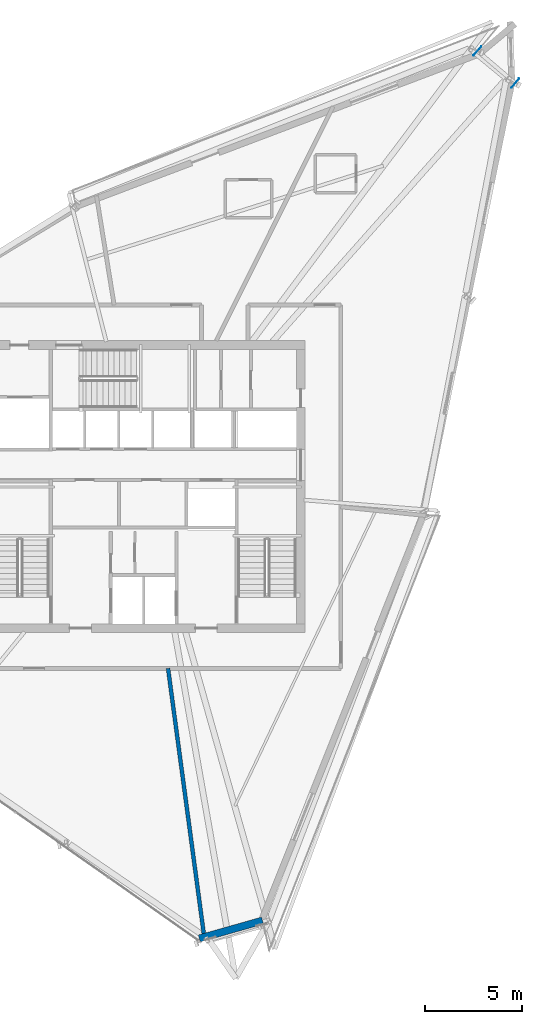
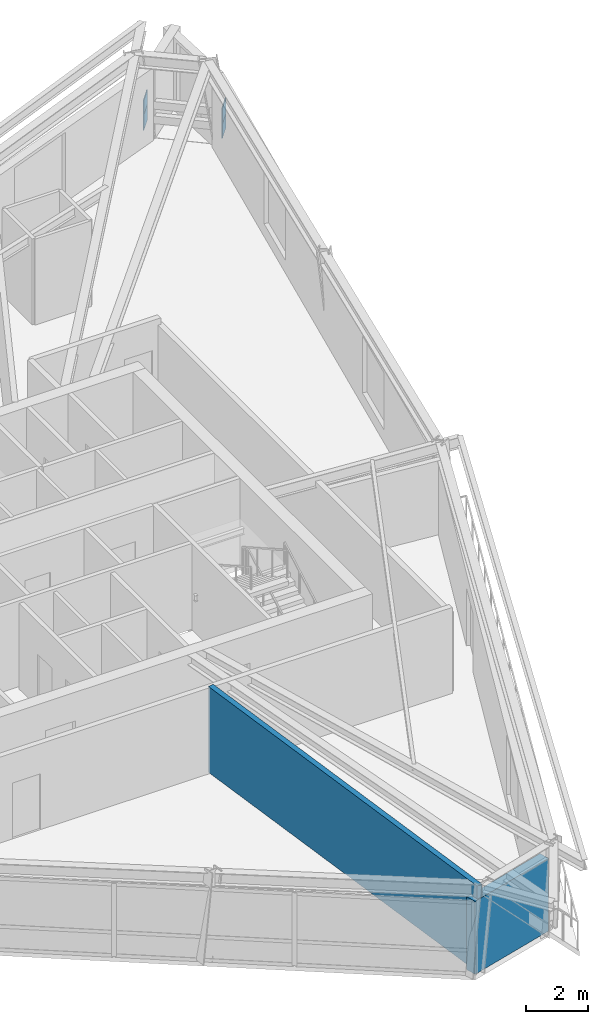
# One storey, part 7 of 13: 4 plates, 2 walls.
"""IFC4 building model written with IfcOpenShell, lengths in metres."""

import ifcopenshell
import ifcopenshell.guid

model = None  # the IFC model being written
_history = None  # IfcOwnerHistory: only IFC2X3 demands one
_inside = {}  # id of a spatial element -> (the spatial element, [elements in it])
_under = {}  # id of a project, library or spatial element -> (it, [spatial elements below it])
_declared = {}  # id of a project -> (the project, [libraries it declares])
_typed = {}  # id of a type object -> (the type object, [elements of that type])
_made_of = {}  # id of a material, layer set ... -> (it, [elements and type objects made of it])


def new_model(schema):
    """Start an empty IFC model of exactly this schema.

    Asked for "IFC4X3", IfcOpenShell would pick the latest addendum, in which some entities
    have other attributes; the version numbers below select the first issue.
    IFC2X3 requires an IfcOwnerHistory on every rooted entity: one is made here for all.
    """
    global model, _history
    if schema == "IFC4X3":
        model = ifcopenshell.file(schema_version=(4, 3, 0, 0))
    else:
        model = ifcopenshell.file(schema=schema)
    _inside.clear()
    _under.clear()
    _declared.clear()
    _typed.clear()
    _made_of.clear()
    _history = None
    if model.schema == "IFC2X3":
        org = make("IfcOrganization", Name="unknown")
        user = make(
            "IfcPersonAndOrganization",
            ThePerson=make("IfcPerson", FamilyName="unknown"),
            TheOrganization=org,
        )
        app = make(
            "IfcApplication",
            ApplicationDeveloper=org,
            Version="unknown",
            ApplicationFullName="unknown",
            ApplicationIdentifier="unknown",
        )
        _history = make(
            "IfcOwnerHistory",
            OwningUser=user,
            OwningApplication=app,
            ChangeAction="ADDED",
            CreationDate=0,
        )
    return model


def make(cls, **values):
    """One entity of the class cls with the attributes given. An attribute that is None is left unset."""
    return model.create_entity(
        cls, **{name: value for name, value in values.items() if value is not None}
    )


def rooted(cls, **values):
    """An entity with a GlobalId (a new one), such as an element, a storey or a relation."""
    return make(cls, GlobalId=ifcopenshell.guid.new(), OwnerHistory=_history, **values)


def si_unit(unit_type, name, prefix=None):
    """IfcSIUnit, for example si_unit("LENGTHUNIT", "METRE", prefix="MILLI")."""
    return make("IfcSIUnit", UnitType=unit_type, Prefix=prefix, Name=name)


def assignment(units):
    """IfcUnitAssignment: the units of a project."""
    return None if units is None else make("IfcUnitAssignment", Units=units)


def point(xyz):
    """IfcCartesianPoint."""
    return None if xyz is None else make("IfcCartesianPoint", Coordinates=xyz)


def direction(xyz):
    """IfcDirection."""
    return None if xyz is None else make("IfcDirection", DirectionRatios=xyz)


def frame(location, z_axis=None, x_axis=None):
    """IfcAxis2Placement3D, a coordinate frame: its origin and axes. An axis left out is left unset."""
    return make(
        "IfcAxis2Placement3D",
        Location=point(location),
        Axis=direction(z_axis),
        RefDirection=direction(x_axis),
    )


def frame_2d(location, x_axis=None):
    """IfcAxis2Placement2D, a coordinate frame in the plane: its origin and x axis."""
    return make(
        "IfcAxis2Placement2D", Location=point(location), RefDirection=direction(x_axis)
    )


def origin():
    """The frame at (0, 0, 0) with its axes left unset."""
    return frame((0.0, 0.0, 0.0))


def origin_2d():
    """The frame at (0, 0) in the plane with its x axis left unset."""
    return frame_2d((0.0, 0.0))


def place(relative_to, where):
    """IfcLocalPlacement: puts the frame where relative to a parent placement (None: the world)."""
    return make(
        "IfcLocalPlacement", PlacementRelTo=relative_to, RelativePlacement=where
    )


def context(
    kind, dimensions, precision=None, world=None, true_north=None, identifier=None
):
    """IfcGeometricRepresentationContext, for example the 3D "Model" context."""
    return make(
        "IfcGeometricRepresentationContext",
        ContextIdentifier=identifier,
        ContextType=kind,
        CoordinateSpaceDimension=dimensions,
        Precision=precision,
        WorldCoordinateSystem=world,
        TrueNorth=true_north,
    )


def subcontext(parent, identifier, kind, view, scale=None):
    """IfcGeometricRepresentationSubContext, for example "Body" below "Model"."""
    return make(
        "IfcGeometricRepresentationSubContext",
        ContextIdentifier=identifier,
        ContextType=kind,
        ParentContext=parent,
        TargetScale=scale,
        TargetView=view,
    )


def project(units=None, contexts=None):
    """IfcProject with its units and contexts."""
    return rooted(
        "IfcProject",
        Name="project",
        RepresentationContexts=contexts,
        UnitsInContext=assignment(units),
    )


def spatial(cls, under=None, at=None, **own):
    """A site, building, storey or space (cls), placed at a placement, below another one or the project."""
    s = rooted(cls, ObjectPlacement=at, **own)
    if under is not None:
        _under.setdefault(under.id(), (under, []))[1].append(s)
    return s


def profile(cls, at=None, kind="AREA", **sizes):
    """A parametric profile (cls). Its sizes go by their IFC names, for example OverallWidth=200.0."""
    return make(cls, ProfileType=kind, Position=at, **sizes)


def rectangle(**sizes):
    """IfcRectangleProfileDef."""
    return profile("IfcRectangleProfileDef", **sizes)


def extrude(swept, where, along, depth):
    """IfcExtrudedAreaSolid: the profile swept, set in the frame where, extruded along a direction by depth."""
    return make(
        "IfcExtrudedAreaSolid",
        SweptArea=swept,
        Position=where,
        ExtrudedDirection=direction(along),
        Depth=depth,
    )


def shape(context_of_items, identifier, shape_type, items):
    """IfcShapeRepresentation: the items that make up one representation, for example the "Body"."""
    return make(
        "IfcShapeRepresentation",
        ContextOfItems=context_of_items,
        RepresentationIdentifier=identifier,
        RepresentationType=shape_type,
        Items=items,
    )


def source(mapping_origin, context_of_items, identifier, shape_type, items):
    """IfcRepresentationMap: a shape defined once, which mapped items show again and again."""
    return make(
        "IfcRepresentationMap",
        MappingOrigin=mapping_origin,
        MappedRepresentation=shape(context_of_items, identifier, shape_type, items),
    )


def transform(
    local_origin,
    x_axis=None,
    y_axis=None,
    z_axis=None,
    scale=None,
    scale2=None,
    scale3=None,
    uniform=True,
):
    """IfcCartesianTransformationOperator3D, or its non-uniform kind. x_axis, y_axis, z_axis: its Axis1, 2, 3."""
    if uniform:
        return make(
            "IfcCartesianTransformationOperator3D",
            Axis1=direction(x_axis),
            Axis2=direction(y_axis),
            LocalOrigin=point(local_origin),
            Scale=scale,
            Axis3=direction(z_axis),
        )
    return make(
        "IfcCartesianTransformationOperator3DnonUniform",
        Axis1=direction(x_axis),
        Axis2=direction(y_axis),
        LocalOrigin=point(local_origin),
        Scale=scale,
        Axis3=direction(z_axis),
        Scale2=scale2,
        Scale3=scale3,
    )


def mapped(mapping_source, mapping_target):
    """IfcMappedItem: shows the shape of a source again, moved by a transform."""
    return make(
        "IfcMappedItem", MappingSource=mapping_source, MappingTarget=mapping_target
    )


def material(Name=None, Category=None):
    """IfcMaterial."""
    return make("IfcMaterial", Name=Name, Category=Category)


def layer(
    of_material, thickness, ventilated=None, Name=None, Category=None, Priority=None
):
    """IfcMaterialLayer: one layer of a wall or slab, of a material (None: an air gap)."""
    return make(
        "IfcMaterialLayer",
        Material=of_material,
        LayerThickness=thickness,
        IsVentilated=ventilated,
        Name=Name,
        Category=Category,
        Priority=Priority,
    )


def layer_set(layers, Name=None):
    """IfcMaterialLayerSet."""
    return make("IfcMaterialLayerSet", MaterialLayers=layers, LayerSetName=Name)


def made_of(thing, what):
    """Note that an element or type object is made of a material, layer set ...; save() writes the relation."""
    if what is not None:
        _made_of.setdefault(what.id(), (what, []))[1].append(thing)
    return thing


def type_object(cls, material=None, **own):
    """A type object (cls), such as IfcWallType, which elements share."""
    return made_of(rooted(cls, **own), material)


def element(
    cls,
    number,
    at=None,
    inside=None,
    cuts=None,
    type_object=None,
    material=None,
    context=None,
    identifier="Body",
    shape_type=None,
    held_by="IfcProductDefinitionShape",
    body=None,
    shapes=None,
    **own,
):
    """One element of the class cls, such as IfcWall. Its Tag is "e" and its number.

    at: its placement. inside: the storey or other place that contains it. cuts: it is an
    opening in that element (IfcRelVoidsElement). A single representation is given by context,
    identifier, shape_type and body (its items); several are given by shapes. held_by: the class
    of the entity that holds the representations. save() writes the other relations.
    """
    e = rooted(cls, Tag="e%d" % number, ObjectPlacement=at, **own)
    if body is not None:
        shapes = [shape(context, identifier, shape_type, body)]
    if shapes is not None:
        e.Representation = make(held_by, Representations=shapes)
    if inside is not None:
        _inside.setdefault(inside.id(), (inside, []))[1].append(e)
    if cuts is not None:
        rooted(
            "IfcRelVoidsElement", RelatingBuildingElement=cuts, RelatedOpeningElement=e
        )
    if type_object is not None:
        _typed.setdefault(type_object.id(), (type_object, []))[1].append(e)
    return made_of(e, material)


def aggregate(whole, parts):
    """IfcRelAggregates: a whole, such as a stair, and the parts it consists of."""
    return rooted("IfcRelAggregates", RelatingObject=whole, RelatedObjects=parts)


def save(model, path):
    """Write the relations noted so far, then the file.

    IfcRelAggregates (storeys below a building ...), IfcRelContainedInSpatialStructure (elements
    in a storey), IfcRelDefinesByType, IfcRelAssociatesMaterial and IfcRelDeclares: one each for
    every whole, place, type object, material and project.
    """
    for whole, parts in _under.values():
        aggregate(whole, parts)
    for where, things in _inside.values():
        rooted(
            "IfcRelContainedInSpatialStructure",
            RelatedElements=things,
            RelatingStructure=where,
        )
    for kind, things in _typed.values():
        rooted("IfcRelDefinesByType", RelatedObjects=things, RelatingType=kind)
    for what, things in _made_of.values():
        rooted("IfcRelAssociatesMaterial", RelatedObjects=things, RelatingMaterial=what)
    for by, libraries in _declared.values():
        rooted("IfcRelDeclares", RelatingContext=by, RelatedDefinitions=libraries)
    model.write(path)


model = new_model("IFC4")

# Units and contexts
model_context = context("Model", 3, precision=1e-05, world=origin(), true_north=direction((0.0, 1.0)))
body_context = subcontext(model_context, "Body", "Model", "MODEL_VIEW")
ifc_project = project(units=[si_unit("LENGTHUNIT", "METRE"), si_unit("AREAUNIT", "SQUARE_METRE"), si_unit("VOLUMEUNIT", "CUBIC_METRE"), si_unit("PLANEANGLEUNIT", "RADIAN"), si_unit("MASSUNIT", "GRAM", prefix="KILO")], contexts=[model_context])

# Site, building, storey
site_placement = place(None, origin())
site = spatial("IfcSite", under=ifc_project, at=site_placement, CompositionType="ELEMENT")
building_placement = place(site_placement, origin())
building = spatial("IfcBuilding", under=site, at=building_placement, Name="Olszyna Solenne Hotel", CompositionType="ELEMENT")
storey_placement = place(building_placement, frame((0.0, 0.0, 238.10009765625)))
storey = spatial("IfcBuildingStorey", under=building, at=storey_placement, Name="L63", CompositionType="ELEMENT", Elevation=238.10009765625)

# Plates
ifc_material_1 = material(Name="Steel S460M", Category="steel")
plate_type = type_object("IfcPlateType", Name="GP-CAP2", PredefinedType="USERDEFINED", material=ifc_material_1)
shared_shape = source(origin(), body_context, "Body", "SweptSolid", [
    extrude(rectangle(XDim=0.030029296875, YDim=0.6201171875, at=origin_2d()), origin(), (0.0, 0.0, 1.0), 0.6201171875),
])
for number, where, z_axis, x_axis, name in (
    (1, (57.22705078125, 47.473876953125, 1.039794921875), (0.0, 0.0, 1.0), (-0.762103608804, 0.647455086819, 0.0), "Hollow section end-cap plate GP-CAP2 CP-PR-M-L63-PR1-1"),
    (2, (55.266845703125, 49.13916015625, 1.039794921875), (0.0, 0.0, 1.0), (-0.762103608804, 0.647455086819, 0.0), "Hollow section end-cap plate GP-CAP2 CP-PR-M-L63-PR1-2"),
    (3, (57.22705078125, 47.473876953125, 0.4697265625), (0.0, 0.0, 1.0), (-0.762103608804, 0.647455086819, 0.0), "Hollow section end-cap plate GP-CAP2 CP-PR-M-L63-PR2-1"),
    (4, (55.266845703125, 49.13916015625, 0.4697265625), (0.0, 0.0, 1.0), (-0.762103608804, 0.647455086819, 0.0), "Hollow section end-cap plate GP-CAP2 CP-PR-M-L63-PR2-2"),
):
    element("IfcPlate", number, at=place(storey_placement, frame(where, z_axis=z_axis, x_axis=x_axis)), inside=storey, type_object=plate_type, Name=name, ObjectType="GUSSET_PLATE", PredefinedType="USERDEFINED", context=body_context, shape_type="MappedRepresentation", body=[
        mapped(shared_shape, transform((0.0, 0.0, 0.0), x_axis=(1.0, 0.0, 0.0), y_axis=(0.0, 1.0, 0.0), z_axis=(0.0, 0.0, 1.0), scale=1.0)),
    ])

# Walls
ifc_material_2 = material(Name="Terracotta cladding on precast concrete C45/55", Category="masonry")
ifc_layer_1 = layer(ifc_material_2, 0.3798828125, Name="Terracotta cladding on precast concrete C45/55")
ifc_layer_set_1 = layer_set([ifc_layer_1], Name="Terracotta cladding on precast concrete C45/55")
wall_type_1 = type_object("IfcWallType", Name="WL-EX380", PredefinedType="SOLIDWALL", material=ifc_layer_set_1)
wall_1_placement = place(storey_placement, frame((44.14990234375, 4.15087890625, 0.0), z_axis=(0.0, 0.0, 1.0), x_axis=(-0.962229156425, -0.272240795117, 0.0)))
element("IfcWall", 5, at=wall_1_placement, inside=storey, type_object=wall_type_1, Name="Exterior terracotta-precast frame wall WL-EX380 EW-L63-02", PredefinedType="SOLIDWALL", context=body_context, shape_type="SweptSolid", body=[
    extrude(rectangle(XDim=3.394287109375, YDim=0.3798828125, at=frame_2d((1.697265625, 0.0))), origin(), (0.0, 0.0, 1.0), 2.871826171875),
])
ifc_material_3 = material(Name="Acoustic gypsum partition", Category="gypsum")
ifc_layer_2 = layer(ifc_material_3, 0.199951171875, Name="Acoustic gypsum partition")
ifc_layer_set_2 = layer_set([ifc_layer_2], Name="Acoustic gypsum partition")
wall_type_2 = type_object("IfcWallType", Name="WL-PT200", PredefinedType="PARTITIONING", material=ifc_layer_set_2)
wall_2_placement = place(storey_placement, frame((39.26611328125, 17.199951171875, 0.0), z_axis=(0.0, 0.0, 1.0), x_axis=(0.133457513992, -0.99105453531, 0.0)))
element("IfcWall", 6, at=wall_2_placement, inside=storey, type_object=wall_type_2, Name="Interior acoustic partition WL-PT200 PW-L63-3490", PredefinedType="PARTITIONING", context=body_context, shape_type="SweptSolid", body=[
    extrude(rectangle(XDim=14.1884765625, YDim=0.199951171875, at=frame_2d((7.09423828125, 0.0))), origin(), (0.0, 0.0, 1.0), 3.3798828125),
])

save(model, "model.ifc")
